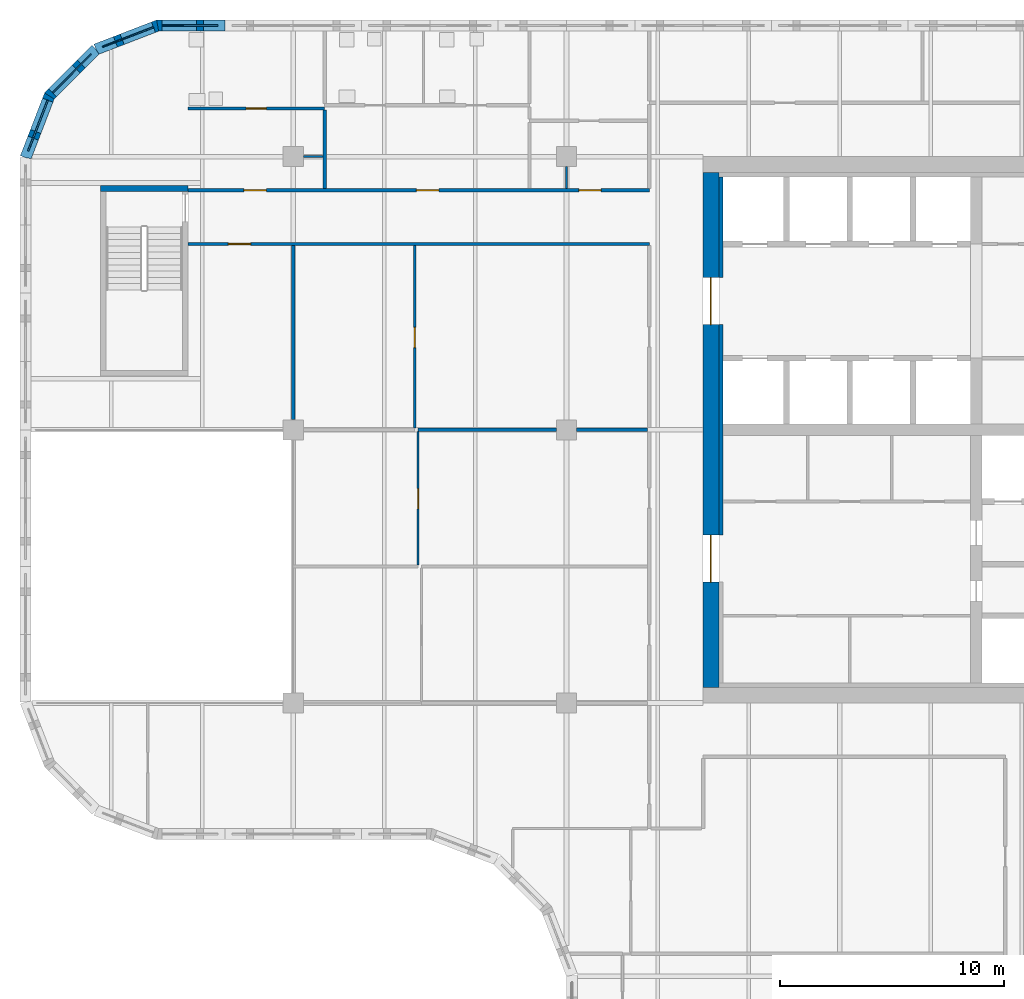
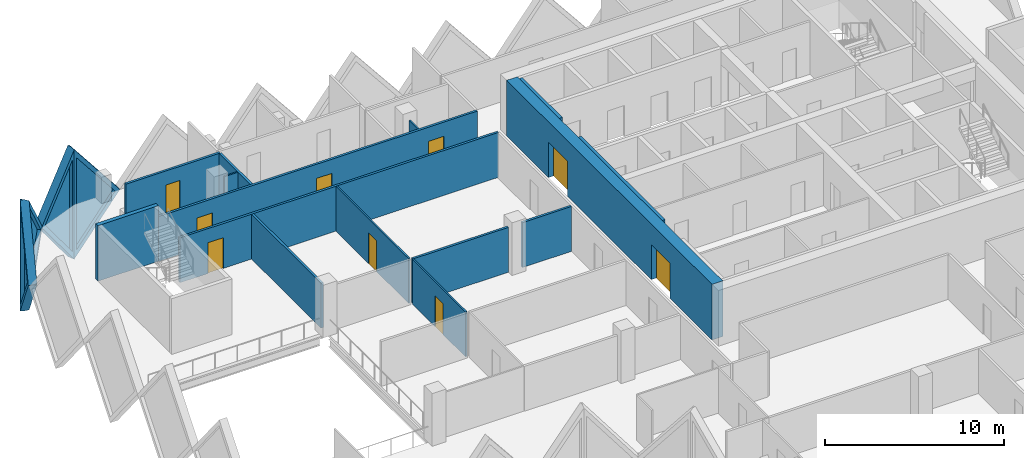
# One storey, part 7 of 13: 19 walls, 9 doors, 4 plates, 13 openings.
"""IFC4 building model written with IfcOpenShell, lengths in metres."""

from ifc_helpers import new_model, si_unit, direction, frame, frame_2d, origin, place, context, subcontext, project, spatial, polyline, rectangle, outline, extrude, faceted_brep, source, transform, mapped, material, layer, layer_set, type_object, element, fill, save


model = new_model("IFC4")

# Units and contexts
model_context = context("Model", 3, precision=1e-05, world=origin(), true_north=direction((0.0, 1.0)))
body_context = subcontext(model_context, "Body", "Model", "MODEL_VIEW")
ifc_project = project(units=[si_unit("LENGTHUNIT", "METRE"), si_unit("AREAUNIT", "SQUARE_METRE"), si_unit("VOLUMEUNIT", "CUBIC_METRE"), si_unit("PLANEANGLEUNIT", "RADIAN"), si_unit("MASSUNIT", "GRAM", prefix="KILO")], contexts=[model_context])

# Site, building, storey
site_placement = place(None, origin())
site = spatial("IfcSite", under=ifc_project, at=site_placement, CompositionType="ELEMENT")
building_placement = place(site_placement, origin())
building = spatial("IfcBuilding", under=site, at=building_placement, Name="Tessera Gate Towers", CompositionType="ELEMENT")
storey_placement = place(building_placement, frame((0.0, 0.0, 120.199951171875)))
storey = spatial("IfcBuildingStorey", under=building, at=storey_placement, Name="L29", CompositionType="ELEMENT", Elevation=120.199951171875)

# Wall
ifc_material_1 = material(Name="Concrete C40/50", Category="concrete")
ifc_layer_1 = layer(ifc_material_1, 0.25)
ifc_layer_set_1 = layer_set([ifc_layer_1], Name="CORE ENCLOSURE WALL 250")
wall_type_1 = type_object("IfcWallType", Name="CORE ENCLOSURE WALL 250", PredefinedType="SOLIDWALL", material=ifc_layer_set_1)
wall_1_placement = place(storey_placement, frame((3.60009765625, 47.375, 0.0), z_axis=(0.0, 0.0, 1.0), x_axis=(1.0, 0.0, 0.0)))
element("IfcWall", 1, at=wall_1_placement, inside=storey, type_object=wall_type_1, Name="L29 ST3 enclosure wall", PredefinedType="SOLIDWALL", context=body_context, shape_type="SweptSolid", body=[
    extrude(rectangle(XDim=3.89990234375, YDim=0.25, at=frame_2d((1.949951171875, 0.0))), origin(), (0.0, 0.0, 1.0), 3.800048828125),
])

# Wall, openings, doors
ifc_material_2 = material(Name="Concrete C60/75", Category="concrete")
ifc_layer_2 = layer(ifc_material_2, 0.699951171875)
ifc_layer_set_2 = layer_set([ifc_layer_2], Name="CORE SHEAR WALL 700 C60/75")
wall_type_2 = type_object("IfcWallType", Name="CORE SHEAR WALL 700 C60/75", PredefinedType="SHEAR", material=ifc_layer_set_2)
wall_2_placement = place(storey_placement, frame((30.85009765625, 25.10009765625, 0.0), z_axis=(0.0, 0.0, 1.0), x_axis=(0.0, 1.0, 0.0)))
wall_2 = element("IfcWall", 2, at=wall_2_placement, inside=storey, type_object=wall_type_2, Name="Core wall W L29", PredefinedType="SHEAR", context=body_context, shape_type="SweptSolid", body=[
    extrude(rectangle(XDim=23.0, YDim=0.699951171875, at=frame_2d((11.5, 0.0))), origin(), (0.0, 0.0, 1.0), 3.800048828125),
])
shared_shape_1 = source(origin(), body_context, "Body", "SweptSolid", [
    extrude(rectangle(XDim=2.10009765625, YDim=2.39990234375, at=frame_2d((1.050048828125, 1.199951171875))), frame((0.0, 0.35986328125, 0.0), z_axis=(0.0, -1.0, 0.0), x_axis=(1.0, 0.0, 0.0)), (0.0, 0.0, 1.0), 0.719970703125),
])
opening_1_placement = place(wall_2_placement, frame((4.699951171875, 0.0, 0.0)))
opening_1 = element("IfcOpeningElement", 3, at=opening_1_placement, cuts=wall_2, Name="Opening DD-T1-21-02", PredefinedType="OPENING", context=body_context, shape_type="MappedRepresentation", body=[
    mapped(shared_shape_1, transform((0.0, 0.0, 0.0), scale=1.0)),
])
opening_2_placement = place(wall_2_placement, frame((16.199951171875, 0.0, 0.0)))
opening_2 = element("IfcOpeningElement", 4, at=opening_2_placement, cuts=wall_2, Name="Opening DD-T1-21-03", PredefinedType="OPENING", context=body_context, shape_type="MappedRepresentation", body=[
    mapped(shared_shape_1, transform((0.0, 0.0, 0.0), scale=1.0)),
])
ifc_material_3 = material(Name="Hollow steel fire door", Category="steel")
door_type_1 = type_object("IfcDoorType", Name="CORE DOOR DD 2100x2400", OperationType="NOTDEFINED", PredefinedType="DOOR", material=ifc_material_3)
shared_shape_2 = source(origin(), body_context, "Body", "SweptSolid", [
    extrude(rectangle(XDim=2.10009765625, YDim=2.39990234375, at=frame_2d((1.050048828125, 1.199951171875))), frame((0.0, 0.02490234375, 0.0), z_axis=(0.0, -1.0, 0.0), x_axis=(1.0, 0.0, 0.0)), (0.0, 0.0, 1.0), 0.050048828125),
])
door_1_placement = place(opening_1_placement, origin())
door_1 = element("IfcDoor", 5, at=door_1_placement, inside=storey, type_object=door_type_1, Name="Core entrance door", OperationType="DOUBLE_DOOR_SINGLE_SWING", OverallHeight=2.39990234375, OverallWidth=2.10009765625, PredefinedType="DOOR", context=body_context, shape_type="MappedRepresentation", body=[
    mapped(shared_shape_2, transform((0.0, 0.0, 0.0), scale=1.0)),
])
fill(opening_1, door_1)
door_2_placement = place(opening_2_placement, origin())
door_2 = element("IfcDoor", 6, at=door_2_placement, inside=storey, type_object=door_type_1, Name="Core entrance door", OperationType="DOUBLE_DOOR_SINGLE_SWING", OverallHeight=2.39990234375, OverallWidth=2.10009765625, PredefinedType="DOOR", context=body_context, shape_type="MappedRepresentation", body=[
    mapped(shared_shape_2, transform((0.0, 0.0, 0.0), scale=1.0)),
])
fill(opening_2, door_2)

# Walls
ifc_material_4 = material(Name="Concrete C60/75", Category="concrete")
ifc_layer_3 = layer(ifc_material_4, 0.199951171875)
ifc_layer_set_3 = layer_set([ifc_layer_3], Name="CORE WALL THICKENING 200")
wall_type_3 = type_object("IfcWallType", Name="CORE WALL THICKENING 200", PredefinedType="SOLIDWALL", material=ifc_layer_set_3)
wall_3_placement = place(storey_placement, frame((31.300048828125, 31.89990234375, 0.0), z_axis=(0.0, 0.0, 1.0), x_axis=(0.0, 1.0, 0.0)))
element("IfcWall", 7, at=wall_3_placement, inside=storey, type_object=wall_type_3, Name="Core wall thickening W L29", PredefinedType="SOLIDWALL", context=body_context, shape_type="SweptSolid", body=[
    extrude(rectangle(XDim=9.400146484375, YDim=0.199951171875, at=frame_2d((4.7001953125, 0.0))), origin(), (0.0, 0.0, 1.0), 3.800048828125),
])
wall_4_placement = place(storey_placement, frame((31.300048828125, 43.39990234375, 0.0), z_axis=(0.0, 0.0, 1.0), x_axis=(0.0, 1.0, 0.0)))
element("IfcWall", 8, at=wall_4_placement, inside=storey, type_object=wall_type_3, Name="Core wall thickening W L29", PredefinedType="SOLIDWALL", context=body_context, shape_type="SweptSolid", body=[
    extrude(rectangle(XDim=4.5, YDim=0.199951171875, at=frame_2d((2.25, 0.0))), origin(), (0.0, 0.0, 1.0), 3.800048828125),
])

# Wall, opening, door
ifc_material_5 = material(Name="Gypsum board on steel studs, mineral wool", Category="steel")
ifc_layer_4 = layer(ifc_material_5, 0.14990234375)
ifc_layer_set_4 = layer_set([ifc_layer_4], Name="CORRIDOR WALL 150")
wall_type_4 = type_object("IfcWallType", Name="CORRIDOR WALL 150", PredefinedType="PARTITIONING", material=ifc_layer_set_4)
wall_5_placement = place(storey_placement, frame((28.10009765625, 44.89990234375, 0.0), z_axis=(0.0, 0.0, 1.0), x_axis=(-1.0, 0.0, 0.0)))
wall_5 = element("IfcWall", 9, at=wall_5_placement, inside=storey, type_object=wall_type_4, Name="T1-L29-PW-041", PredefinedType="PARTITIONING", context=body_context, shape_type="SweptSolid", body=[
    extrude(rectangle(XDim=20.60009765625, YDim=0.14990234375, at=frame_2d((10.300048828125, 0.0))), origin(), (0.0, 0.0, 1.0), 3.067138671875),
])
shared_shape_3 = source(origin(), body_context, "Body", "SweptSolid", [
    extrude(rectangle(XDim=1.0, YDim=2.10009765625, at=frame_2d((0.5, 1.050048828125))), frame((0.0, 0.0849609375, 0.0), z_axis=(0.0, -1.0, 0.0), x_axis=(1.0, 0.0, 0.0)), (0.0, 0.0, 1.0), 0.169921875),
])
opening_3_placement = place(wall_5_placement, frame((17.800048828125, 0.0, 0.0)))
opening_3 = element("IfcOpeningElement", 10, at=opening_3_placement, cuts=wall_5, Name="Opening D2100FD60-A10-01", PredefinedType="OPENING", context=body_context, shape_type="MappedRepresentation", body=[
    mapped(shared_shape_3, transform((0.0, 0.0, 0.0), scale=1.0)),
])
ifc_material_6 = material(Name="Timber door leaf in steel frame", Category="steel")
door_type_2 = type_object("IfcDoorType", Name="TENANCY ENTRANCE DOOR 1000 FD60", OperationType="NOTDEFINED", PredefinedType="DOOR", material=ifc_material_6)
shared_shape_4 = source(origin(), body_context, "Body", "SweptSolid", [
    extrude(rectangle(XDim=1.0, YDim=2.10009765625, at=frame_2d((0.5, 1.050048828125))), frame((0.0, 0.02490234375, 0.0), z_axis=(0.0, -1.0, 0.0), x_axis=(1.0, 0.0, 0.0)), (0.0, 0.0, 1.0), 0.050048828125),
])
door_3_placement = place(opening_3_placement, origin())
door_3 = element("IfcDoor", 11, at=door_3_placement, inside=storey, type_object=door_type_2, Name="T1-L29-PD-004", OperationType="SINGLE_SWING_RIGHT", OverallHeight=2.10009765625, OverallWidth=1.0, PredefinedType="DOOR", context=body_context, shape_type="MappedRepresentation", body=[
    mapped(shared_shape_4, transform((0.0, 0.0, 0.0), scale=1.0)),
])
fill(opening_3, door_3)

# Wall, openings, doors
wall_6_placement = place(storey_placement, frame((7.5, 47.300048828125, 0.0), z_axis=(0.0, 0.0, 1.0), x_axis=(1.0, 0.0, 0.0)))
wall_6 = element("IfcWall", 12, at=wall_6_placement, inside=storey, type_object=wall_type_4, Name="T1-L29-PW-042", PredefinedType="PARTITIONING", context=body_context, shape_type="SweptSolid", body=[
    extrude(rectangle(XDim=20.60009765625, YDim=0.14990234375, at=frame_2d((10.300048828125, 0.0))), origin(), (0.0, 0.0, 1.0), 3.067138671875),
])
opening_4_placement = place(wall_6_placement, frame((17.450927734375, 0.0, 0.0)))
opening_4 = element("IfcOpeningElement", 13, at=opening_4_placement, cuts=wall_6, Name="Opening D2100FD60-A10-02", PredefinedType="OPENING", context=body_context, shape_type="MappedRepresentation", body=[
    mapped(shared_shape_3, transform((0.0, 0.0, 0.0), scale=1.0)),
])
opening_5_placement = place(wall_6_placement, frame((2.5, 0.0, 0.0)))
opening_5 = element("IfcOpeningElement", 14, at=opening_5_placement, cuts=wall_6, Name="Opening D2100FD60-A10-03", PredefinedType="OPENING", context=body_context, shape_type="MappedRepresentation", body=[
    mapped(shared_shape_3, transform((0.0, 0.0, 0.0), scale=1.0)),
])
opening_6_placement = place(wall_6_placement, frame((10.199951171875, 0.0, 0.0)))
opening_6 = element("IfcOpeningElement", 15, at=opening_6_placement, cuts=wall_6, Name="Opening D2100FD60-A10-06", PredefinedType="OPENING", context=body_context, shape_type="MappedRepresentation", body=[
    mapped(shared_shape_3, transform((0.0, 0.0, 0.0), scale=1.0)),
])
door_4_placement = place(opening_4_placement, origin())
door_4 = element("IfcDoor", 16, at=door_4_placement, inside=storey, type_object=door_type_2, Name="T1-L29-PD-007", OperationType="SINGLE_SWING_LEFT", OverallHeight=2.10009765625, OverallWidth=1.0, PredefinedType="DOOR", context=body_context, shape_type="MappedRepresentation", body=[
    mapped(shared_shape_4, transform((0.0, 0.0, 0.0), scale=1.0)),
])
fill(opening_4, door_4)
door_5_placement = place(opening_5_placement, origin())
door_5 = element("IfcDoor", 17, at=door_5_placement, inside=storey, type_object=door_type_2, Name="T1-L29-PD-015", OperationType="SINGLE_SWING_LEFT", OverallHeight=2.10009765625, OverallWidth=1.0, PredefinedType="DOOR", context=body_context, shape_type="MappedRepresentation", body=[
    mapped(shared_shape_4, transform((0.0, 0.0, 0.0), scale=1.0)),
])
fill(opening_5, door_5)
door_6_placement = place(opening_6_placement, origin())
door_6 = element("IfcDoor", 18, at=door_6_placement, inside=storey, type_object=door_type_2, Name="T1-L29-PD-024", OperationType="SINGLE_SWING_LEFT", OverallHeight=2.10009765625, OverallWidth=1.0, PredefinedType="DOOR", context=body_context, shape_type="MappedRepresentation", body=[
    mapped(shared_shape_4, transform((0.0, 0.0, 0.0), scale=1.0)),
])
fill(opening_6, door_6)

# Wall, opening, door
ifc_material_7 = material(Name="Glass", Category="glass")
ifc_layer_5 = layer(ifc_material_7, 0.10009765625)
ifc_layer_set_5 = layer_set([ifc_layer_5], Name="GLAZED PARTITION 100")
wall_type_5 = type_object("IfcWallType", Name="GLAZED PARTITION 100", PredefinedType="PARTITIONING", material=ifc_layer_set_5)
wall_7_placement = place(storey_placement, frame((17.77490234375, 30.575927734375, 0.0), z_axis=(0.0, 0.0, 1.0), x_axis=(0.0, 1.0, 0.0)))
wall_7 = element("IfcWall", 19, at=wall_7_placement, inside=storey, type_object=wall_type_5, Name="T1-L29-PW-035", PredefinedType="PARTITIONING", context=body_context, shape_type="SweptSolid", body=[
    extrude(rectangle(XDim=5.947998046875, YDim=0.10009765625, at=frame_2d((2.97412109375, 0.0))), origin(), (0.0, 0.0, 1.0), 3.067138671875),
])
shared_shape_5 = source(origin(), body_context, "Body", "SweptSolid", [
    extrude(rectangle(XDim=0.89990234375, YDim=2.10009765625, at=frame_2d((0.449951171875, 1.050048828125))), frame((0.0, 0.06005859375, 0.0), z_axis=(0.0, -1.0, 0.0), x_axis=(1.0, 0.0, 0.0)), (0.0, 0.0, 1.0), 0.1201171875),
])
opening_7_placement = place(wall_7_placement, frame((2.5, 0.0, 0.0)))
opening_7 = element("IfcOpeningElement", 20, at=opening_7_placement, cuts=wall_7, Name="Opening D690-A10-05", PredefinedType="OPENING", context=body_context, shape_type="MappedRepresentation", body=[
    mapped(shared_shape_5, transform((0.0, 0.0, 0.0), scale=1.0)),
])
ifc_material_8 = material(Name="Glass in aluminium frame", Category="aluminium")
door_type_3 = type_object("IfcDoorType", Name="GLAZED DOOR 900 NOT RATED", OperationType="NOTDEFINED", PredefinedType="DOOR", material=ifc_material_8)
shared_shape_6 = source(origin(), body_context, "Body", "SweptSolid", [
    extrude(rectangle(XDim=0.89990234375, YDim=2.10009765625, at=frame_2d((0.449951171875, 1.050048828125))), frame((0.0, 0.02490234375, 0.0), z_axis=(0.0, -1.0, 0.0), x_axis=(1.0, 0.0, 0.0)), (0.0, 0.0, 1.0), 0.050048828125),
])
door_7_placement = place(opening_7_placement, origin())
door_7 = element("IfcDoor", 21, at=door_7_placement, inside=storey, type_object=door_type_3, Name="T1-L29-PD-012", OperationType="SINGLE_SWING_LEFT", OverallHeight=2.10009765625, OverallWidth=0.89990234375, PredefinedType="DOOR", context=body_context, shape_type="MappedRepresentation", body=[
    mapped(shared_shape_6, transform((0.0, 0.0, 0.0), scale=1.0)),
])
fill(opening_7, door_7)

wall_8_placement = place(storey_placement, frame((17.625, 36.676025390625, 0.0), z_axis=(0.0, 0.0, 1.0), x_axis=(0.0, 1.0, 0.0)))
wall_8 = element("IfcWall", 22, at=wall_8_placement, inside=storey, type_object=wall_type_5, Name="T1-L29-PW-039", PredefinedType="PARTITIONING", context=body_context, shape_type="SweptSolid", body=[
    extrude(rectangle(XDim=8.14794921875, YDim=0.10009765625, at=frame_2d((4.073974609375, 0.0))), origin(), (0.0, 0.0, 1.0), 3.067138671875),
])
opening_8_placement = place(wall_8_placement, frame((3.60009765625, 0.0, 0.0)))
opening_8 = element("IfcOpeningElement", 23, at=opening_8_placement, cuts=wall_8, Name="Opening D690-A10-06", PredefinedType="OPENING", context=body_context, shape_type="MappedRepresentation", body=[
    mapped(shared_shape_5, transform((0.0, 0.0, 0.0), scale=1.0)),
])
door_8_placement = place(opening_8_placement, origin())
door_8 = element("IfcDoor", 24, at=door_8_placement, inside=storey, type_object=door_type_3, Name="T1-L29-PD-019", OperationType="SINGLE_SWING_LEFT", OverallHeight=2.10009765625, OverallWidth=0.89990234375, PredefinedType="DOOR", context=body_context, shape_type="MappedRepresentation", body=[
    mapped(shared_shape_6, transform((0.0, 0.0, 0.0), scale=1.0)),
])
fill(opening_8, door_8)

# Walls
ifc_material_9 = material(Name="Gypsum board on steel studs", Category="steel")
ifc_layer_6 = layer(ifc_material_9, 0.10009765625)
ifc_layer_set_6 = layer_set([ifc_layer_6], Name="PARTITION 100")
wall_type_6 = type_object("IfcWallType", Name="PARTITION 100", PredefinedType="PARTITIONING", material=ifc_layer_set_6)
wall_9_placement = place(storey_placement, frame((24.39990234375, 48.35009765625, 0.0), z_axis=(0.0, 0.0, 1.0), x_axis=(0.0, -1.0, 0.0)))
element("IfcWall", 25, at=wall_9_placement, inside=storey, type_object=wall_type_6, Name="T1-L29-PW-046", PredefinedType="PARTITIONING", context=body_context, shape_type="SweptSolid", body=[
    extrude(rectangle(XDim=0.97509765625, YDim=0.10009765625, at=frame_2d((0.487548828125, 0.0))), origin(), (0.0, 0.0, 1.0), 3.067138671875),
])
wall_10_placement = place(storey_placement, frame((12.64990234375, 48.800048828125, 0.0), z_axis=(0.0, 0.0, 1.0), x_axis=(1.0, 0.0, 0.0)))
element("IfcWall", 26, at=wall_10_placement, inside=storey, type_object=wall_type_6, Name="T1-L29-PW-047", PredefinedType="PARTITIONING", context=body_context, shape_type="SweptSolid", body=[
    extrude(rectangle(XDim=0.875, YDim=0.10009765625, at=frame_2d((0.4375, 0.0))), origin(), (0.0, 0.0, 1.0), 3.067138671875),
])
ifc_material_10 = material(Name="Gypsum board on steel studs, mineral wool", Category="steel")
ifc_layer_7 = layer(ifc_material_10, 0.14990234375)
ifc_layer_set_7 = layer_set([ifc_layer_7], Name="TENANCY WALL 150")
wall_type_7 = type_object("IfcWallType", Name="TENANCY WALL 150", PredefinedType="PARTITIONING", material=ifc_layer_set_7)
wall_11_placement = place(storey_placement, frame((17.77490234375, 36.60009765625, 0.0), z_axis=(0.0, 0.0, 1.0), x_axis=(1.0, 0.0, 0.0)))
element("IfcWall", 27, at=wall_11_placement, inside=storey, type_object=wall_type_7, Name="T1-L29-PW-037", PredefinedType="PARTITIONING", context=body_context, shape_type="SweptSolid", body=[
    extrude(rectangle(XDim=6.174072265625, YDim=0.14990234375, at=frame_2d((3.0869140625, 0.0))), origin(), (0.0, 0.0, 1.0), 3.067138671875),
])
wall_12_placement = place(storey_placement, frame((24.85107421875, 36.60009765625, 0.0), z_axis=(0.0, 0.0, 1.0), x_axis=(1.0, 0.0, 0.0)))
element("IfcWall", 28, at=wall_12_placement, inside=storey, type_object=wall_type_7, Name="T1-L29-PW-038", PredefinedType="PARTITIONING", context=body_context, shape_type="SweptSolid", body=[
    extrude(rectangle(XDim=3.1728515625, YDim=0.14990234375, at=frame_2d((1.58642578125, 0.0))), origin(), (0.0, 0.0, 1.0), 3.067138671875),
])
wall_13_placement = place(storey_placement, frame((12.199951171875, 37.051025390625, 0.0), z_axis=(0.0, 0.0, 1.0), x_axis=(0.0, 1.0, 0.0)))
element("IfcWall", 29, at=wall_13_placement, inside=storey, type_object=wall_type_7, Name="T1-L29-PW-040", PredefinedType="PARTITIONING", context=body_context, shape_type="SweptSolid", body=[
    extrude(rectangle(XDim=7.77294921875, YDim=0.14990234375, at=frame_2d((3.886474609375, 0.0))), origin(), (0.0, 0.0, 1.0), 3.067138671875),
])
wall_14_placement = place(storey_placement, frame((13.60009765625, 47.3759765625, 0.0), z_axis=(0.0, 0.0, 1.0), x_axis=(0.0, 1.0, 0.0)))
element("IfcWall", 30, at=wall_14_placement, inside=storey, type_object=wall_type_7, Name="T1-L29-PW-043", PredefinedType="PARTITIONING", context=body_context, shape_type="SweptSolid", body=[
    extrude(rectangle(XDim=3.498046875, YDim=0.14990234375, at=frame_2d((1.7490234375, 0.0))), origin(), (0.0, 0.0, 1.0), 3.067138671875),
])

# Wall, opening, door
wall_15_placement = place(storey_placement, frame((7.5, 50.949951171875, 0.0), z_axis=(0.0, 0.0, 1.0), x_axis=(1.0, 0.0, 0.0)))
wall_15 = element("IfcWall", 31, at=wall_15_placement, inside=storey, type_object=wall_type_7, Name="T1-L29-PW-050", PredefinedType="PARTITIONING", context=body_context, shape_type="SweptSolid", body=[
    extrude(rectangle(XDim=6.10009765625, YDim=0.14990234375, at=frame_2d((3.050048828125, 0.0))), origin(), (0.0, 0.0, 1.0), 3.067138671875),
])
shared_shape_7 = source(origin(), body_context, "Body", "SweptSolid", [
    extrude(rectangle(XDim=0.89990234375, YDim=2.10009765625, at=frame_2d((0.449951171875, 1.050048828125))), frame((0.0, 0.0849609375, 0.0), z_axis=(0.0, -1.0, 0.0), x_axis=(1.0, 0.0, 0.0)), (0.0, 0.0, 1.0), 0.169921875),
])
opening_9_placement = place(wall_15_placement, frame((2.60009765625, 0.0, 0.0)))
opening_9 = element("IfcOpeningElement", 32, at=opening_9_placement, cuts=wall_15, Name="Opening D190-A10-06", PredefinedType="OPENING", context=body_context, shape_type="MappedRepresentation", body=[
    mapped(shared_shape_7, transform((0.0, 0.0, 0.0), scale=1.0)),
])
ifc_material_11 = material(Name="Timber door leaf in steel frame", Category="steel")
door_type_4 = type_object("IfcDoorType", Name="INTERNAL DOOR 900 NOT RATED", OperationType="NOTDEFINED", PredefinedType="DOOR", material=ifc_material_11)
door_9_placement = place(opening_9_placement, origin())
door_9 = element("IfcDoor", 33, at=door_9_placement, inside=storey, type_object=door_type_4, Name="T1-L29-PD-016", OperationType="SINGLE_SWING_LEFT", OverallHeight=2.10009765625, OverallWidth=0.89990234375, PredefinedType="DOOR", context=body_context, shape_type="MappedRepresentation", body=[
    mapped(shared_shape_6, transform((0.0, 0.0, 0.0), scale=1.0)),
])
fill(opening_9, door_9)

# Wall, opening, plate
ifc_material_12 = material(Name="Precast concrete C60/75 white", Category="concrete")
ifc_layer_8 = layer(ifc_material_12, 0.5)
ifc_layer_set_8 = layer_set([ifc_layer_8], Name="TS3 corner tessera")
wall_type_8 = type_object("IfcWallType", Name="TS3 corner tessera", PredefinedType="SOLIDWALL", material=ifc_layer_set_8)
shared_shape_8 = source(origin(), body_context, "Body", "Brep", [
    faceted_brep([(3.00341796875, -0.25, 0.0), (3.050048828125, -0.25, 0.06005859375), (3.050048828125, -0.25, 7.5400390625), (3.00341796875, -0.25, 7.60009765625), (0.0, -0.25, 3.800048828125), (0.0, 0.25, 3.800048828125), (2.956787109375, 0.25, 7.541259765625), (2.956787109375, 0.25, 0.058837890625), (3.00341796875, 0.000244140625, 0.0), (3.00341796875, 0.000244140625, 7.60009765625)], [[[0, 1, 2, 3, 4]], [[5, 6, 7]], [[1, 0, 8]], [[9, 3, 2]], [[6, 5, 4, 3, 9]], [[5, 7, 8, 0, 4]], [[1, 8, 7, 6, 9, 2]]]),
])
wall_16_placement = place(storey_placement, frame((9.14990234375, 54.64990234375, -3.800048828125), z_axis=(0.0, 0.0, 1.0), x_axis=(-1.0, 0.0, 0.0)))
wall_16 = element("IfcWall", 34, at=wall_16_placement, inside=storey, type_object=wall_type_8, Name="Precast corner tessera T1 TS3-0659", PredefinedType="SOLIDWALL", context=body_context, shape_type="MappedRepresentation", body=[
    mapped(shared_shape_8, transform((0.0, 0.0, 0.0), scale=1.0)),
])
shared_shape_9 = source(origin(), body_context, "Body", "SweptSolid", [
    extrude(outline(polyline([(2.803466796875, 6.94384765625), (0.318603515625, 3.800048828125), (2.803466796875, 0.65625), (2.803466796875, 6.94384765625)])), frame((0.0, 0.260009765625, 0.0), z_axis=(0.0, -1.0, 0.0), x_axis=(1.0, 0.0, 0.0)), (0.0, 0.0, 1.0), 0.52001953125),
])
opening_10_placement = place(wall_16_placement, origin())
opening_10 = element("IfcOpeningElement", 35, at=opening_10_placement, cuts=wall_16, Name="Opening T1-PL2-0967", PredefinedType="OPENING", context=body_context, shape_type="MappedRepresentation", body=[
    mapped(shared_shape_9, transform((0.0, 0.0, 0.0), scale=1.0)),
])
ifc_material_13 = material(Name="Low-e laminated glass", Category="glass")
ifc_layer_9 = layer(ifc_material_13, 0.06005859375)
ifc_layer_set_9 = layer_set([ifc_layer_9], Name="PL2 rhombic pane")
plate_type = type_object("IfcPlateType", Name="PL2 rhombic pane", PredefinedType="SHEET", material=ifc_layer_set_9)
shared_shape_10 = source(origin(), body_context, "Body", "SweptSolid", [
    extrude(outline(polyline([(2.803466796875, 6.94384765625), (0.318603515625, 3.800048828125), (2.803466796875, 0.65625), (2.803466796875, 6.94384765625)])), frame((0.0, 0.030029296875, 0.0), z_axis=(0.0, -1.0, 0.0), x_axis=(1.0, 0.0, 0.0)), (0.0, 0.0, 1.0), 0.06005859375),
])
plate_1_placement = place(opening_10_placement, origin())
plate_1 = element("IfcPlate", 36, at=plate_1_placement, inside=storey, type_object=plate_type, Name="Glass pane T1 PL2-0967", PredefinedType="SHEET", context=body_context, shape_type="MappedRepresentation", body=[
    mapped(shared_shape_10, transform((0.0, 0.0, 0.0), scale=1.0)),
])
fill(opening_10, plate_1)

shared_shape_11 = source(origin(), body_context, "Body", "Brep", [
    faceted_brep([(0.046630859375, -0.25, 0.0), (2.9970703125, -0.25, 3.800048828125), (0.046630859375, -0.25, 7.60009765625), (0.0, -0.25, 7.541259765625), (0.0, -0.25, 0.058837890625), (0.09326171875, 0.25, 7.5400390625), (2.9443359375, 0.25, 3.8681640625), (2.9443359375, 0.25, 3.73193359375), (0.09326171875, 0.25, 0.06005859375), (2.9970703125, 0.00048828125, 3.800048828125), (0.046630859375, 0.0, 0.0), (0.046630859375, 0.0, 7.60009765625)], [[[0, 1, 2, 3, 4]], [[5, 6, 7, 8]], [[8, 7, 9, 1, 0, 10]], [[6, 5, 11, 2, 1, 9]], [[3, 2, 11]], [[10, 0, 4]], [[8, 10, 4, 3, 11, 5]], [[9, 7, 6]]]),
])
wall_17_placement = place(storey_placement, frame((6.18994140625, 54.666748046875, -3.800048828125), z_axis=(0.0, 0.0, 1.0), x_axis=(-0.932990326376, -0.359901446078, 0.0)))
wall_17 = element("IfcWall", 37, at=wall_17_placement, inside=storey, type_object=wall_type_8, Name="Precast corner tessera T1 TS3-0660", PredefinedType="SOLIDWALL", context=body_context, shape_type="MappedRepresentation", body=[
    mapped(shared_shape_11, transform((0.0, 0.0, 0.0), scale=1.0)),
])
shared_shape_12 = source(origin(), body_context, "Body", "SweptSolid", [
    extrude(outline(polyline([(0.24658203125, 0.665283203125), (2.6806640625, 3.800048828125), (0.24658203125, 6.934814453125), (0.24658203125, 0.665283203125)])), frame((0.0, 0.260009765625, 0.0), z_axis=(0.0, -1.0, 0.0), x_axis=(1.0, 0.0, 0.0)), (0.0, 0.0, 1.0), 0.52001953125),
])
opening_11_placement = place(wall_17_placement, origin())
opening_11 = element("IfcOpeningElement", 38, at=opening_11_placement, cuts=wall_17, Name="Opening T1-PL2-0968", PredefinedType="OPENING", context=body_context, shape_type="MappedRepresentation", body=[
    mapped(shared_shape_12, transform((0.0, 0.0, 0.0), scale=1.0)),
])
shared_shape_13 = source(origin(), body_context, "Body", "SweptSolid", [
    extrude(outline(polyline([(0.24658203125, 0.665283203125), (2.6806640625, 3.800048828125), (0.24658203125, 6.934814453125), (0.24658203125, 0.665283203125)])), frame((0.0, 0.030029296875, 0.0), z_axis=(0.0, -1.0, 0.0), x_axis=(1.0, 0.0, 0.0)), (0.0, 0.0, 1.0), 0.06005859375),
])
plate_2_placement = place(opening_11_placement, origin())
plate_2 = element("IfcPlate", 39, at=plate_2_placement, inside=storey, type_object=plate_type, Name="Glass pane T1 PL2-0968", PredefinedType="SHEET", context=body_context, shape_type="MappedRepresentation", body=[
    mapped(shared_shape_13, transform((0.0, 0.0, 0.0), scale=1.0)),
])
fill(opening_11, plate_2)

shared_shape_14 = source(origin(), body_context, "Body", "Brep", [
    faceted_brep([(0.052978515625, -0.25, 0.0), (3.00341796875, -0.25, 3.800048828125), (0.052978515625, -0.25, 7.60009765625), (0.0, -0.25, 7.53173828125), (0.0, -0.25, 0.068359375), (0.10595703125, 0.25, 7.531982421875), (2.95703125, 0.25, 3.85986328125), (2.95703125, 0.25, 3.740234375), (0.10595703125, 0.25, 0.068115234375), (3.00341796875, 0.00048828125, 3.800048828125), (0.052978515625, 0.0, 0.0), (0.052978515625, 0.0, 7.60009765625)], [[[0, 1, 2, 3, 4]], [[5, 6, 7, 8]], [[8, 7, 9, 1, 0, 10]], [[6, 5, 11, 2, 1, 9]], [[3, 2, 11]], [[10, 0, 4]], [[8, 10, 4, 3, 11, 5]], [[9, 7, 6]]]),
])
wall_18_placement = place(storey_placement, frame((1.3310546875, 51.5556640625, -3.800048828125), z_axis=(0.0, 0.0, 1.0), x_axis=(-0.35992665181, -0.932980602862, 0.0)))
wall_18 = element("IfcWall", 40, at=wall_18_placement, inside=storey, type_object=wall_type_8, Name="Precast corner tessera T1 TS3-0662", PredefinedType="SOLIDWALL", context=body_context, shape_type="MappedRepresentation", body=[
    mapped(shared_shape_14, transform((0.0, 0.0, 0.0), scale=1.0)),
])
shared_shape_15 = source(origin(), body_context, "Body", "SweptSolid", [
    extrude(outline(polyline([(0.2529296875, 0.665283203125), (2.68701171875, 3.800048828125), (0.2529296875, 6.934814453125), (0.2529296875, 0.665283203125)])), frame((0.0, 0.260009765625, 0.0), z_axis=(0.0, -1.0, 0.0), x_axis=(1.0, 0.0, 0.0)), (0.0, 0.0, 1.0), 0.52001953125),
])
opening_12_placement = place(wall_18_placement, origin())
opening_12 = element("IfcOpeningElement", 41, at=opening_12_placement, cuts=wall_18, Name="Opening T1-PL2-0970", PredefinedType="OPENING", context=body_context, shape_type="MappedRepresentation", body=[
    mapped(shared_shape_15, transform((0.0, 0.0, 0.0), scale=1.0)),
])
shared_shape_16 = source(origin(), body_context, "Body", "SweptSolid", [
    extrude(outline(polyline([(0.2529296875, 0.665283203125), (2.68701171875, 3.800048828125), (0.2529296875, 6.934814453125), (0.2529296875, 0.665283203125)])), frame((0.0, 0.030029296875, 0.0), z_axis=(0.0, -1.0, 0.0), x_axis=(1.0, 0.0, 0.0)), (0.0, 0.0, 1.0), 0.06005859375),
])
plate_3_placement = place(opening_12_placement, origin())
plate_3 = element("IfcPlate", 42, at=plate_3_placement, inside=storey, type_object=plate_type, Name="Glass pane T1 PL2-0970", PredefinedType="SHEET", context=body_context, shape_type="MappedRepresentation", body=[
    mapped(shared_shape_16, transform((0.0, 0.0, 0.0), scale=1.0)),
])
fill(opening_12, plate_3)

shared_shape_17 = source(origin(), body_context, "Body", "Brep", [
    faceted_brep([(2.944091796875, -0.25, 0.0), (2.9970703125, -0.25, 0.068115234375), (2.9970703125, -0.25, 7.531982421875), (2.944091796875, -0.25, 7.60009765625), (0.0, -0.25, 3.800048828125), (0.052978515625, 0.25, 3.868408203125), (2.89111328125, 0.25, 7.531982421875), (2.89111328125, 0.25, 0.068115234375), (0.052978515625, 0.25, 3.731689453125), (2.944091796875, 0.000244140625, 0.0), (2.944091796875, 0.000244140625, 7.60009765625), (0.0, 0.0, 3.800048828125)], [[[0, 1, 2, 3, 4]], [[5, 6, 7, 8]], [[1, 0, 9]], [[10, 3, 2]], [[6, 5, 11, 4, 3, 10]], [[8, 7, 9, 0, 4, 11]], [[8, 11, 5]], [[1, 9, 7, 6, 10, 2]]]),
])
wall_19_placement = place(storey_placement, frame((3.393798828125, 53.588134765625, -3.800048828125), z_axis=(0.0, 0.0, 1.0), x_axis=(-0.707106781187, -0.707106781187, 0.0)))
wall_19 = element("IfcWall", 43, at=wall_19_placement, inside=storey, type_object=wall_type_8, Name="Precast corner tessera T1 TS3-0661", PredefinedType="SOLIDWALL", context=body_context, shape_type="MappedRepresentation", body=[
    mapped(shared_shape_17, transform((0.0, 0.0, 0.0), scale=1.0)),
])
shared_shape_18 = source(origin(), body_context, "Body", "SweptSolid", [
    extrude(outline(polyline([(2.744140625, 6.933837890625), (0.316162109375, 3.800048828125), (2.744140625, 0.66650390625), (2.744140625, 6.933837890625)])), frame((0.0, 0.260009765625, 0.0), z_axis=(0.0, -1.0, 0.0), x_axis=(1.0, 0.0, 0.0)), (0.0, 0.0, 1.0), 0.52001953125),
])
opening_13_placement = place(wall_19_placement, origin())
opening_13 = element("IfcOpeningElement", 44, at=opening_13_placement, cuts=wall_19, Name="Opening T1-PL2-0969", PredefinedType="OPENING", context=body_context, shape_type="MappedRepresentation", body=[
    mapped(shared_shape_18, transform((0.0, 0.0, 0.0), scale=1.0)),
])
shared_shape_19 = source(origin(), body_context, "Body", "SweptSolid", [
    extrude(outline(polyline([(2.744140625, 6.933837890625), (0.316162109375, 3.800048828125), (2.744140625, 0.66650390625), (2.744140625, 6.933837890625)])), frame((0.0, 0.030029296875, 0.0), z_axis=(0.0, -1.0, 0.0), x_axis=(1.0, 0.0, 0.0)), (0.0, 0.0, 1.0), 0.06005859375),
])
plate_4_placement = place(opening_13_placement, origin())
plate_4 = element("IfcPlate", 45, at=plate_4_placement, inside=storey, type_object=plate_type, Name="Glass pane T1 PL2-0969", PredefinedType="SHEET", context=body_context, shape_type="MappedRepresentation", body=[
    mapped(shared_shape_19, transform((0.0, 0.0, 0.0), scale=1.0)),
])
fill(opening_13, plate_4)

save(model, "model.ifc")
